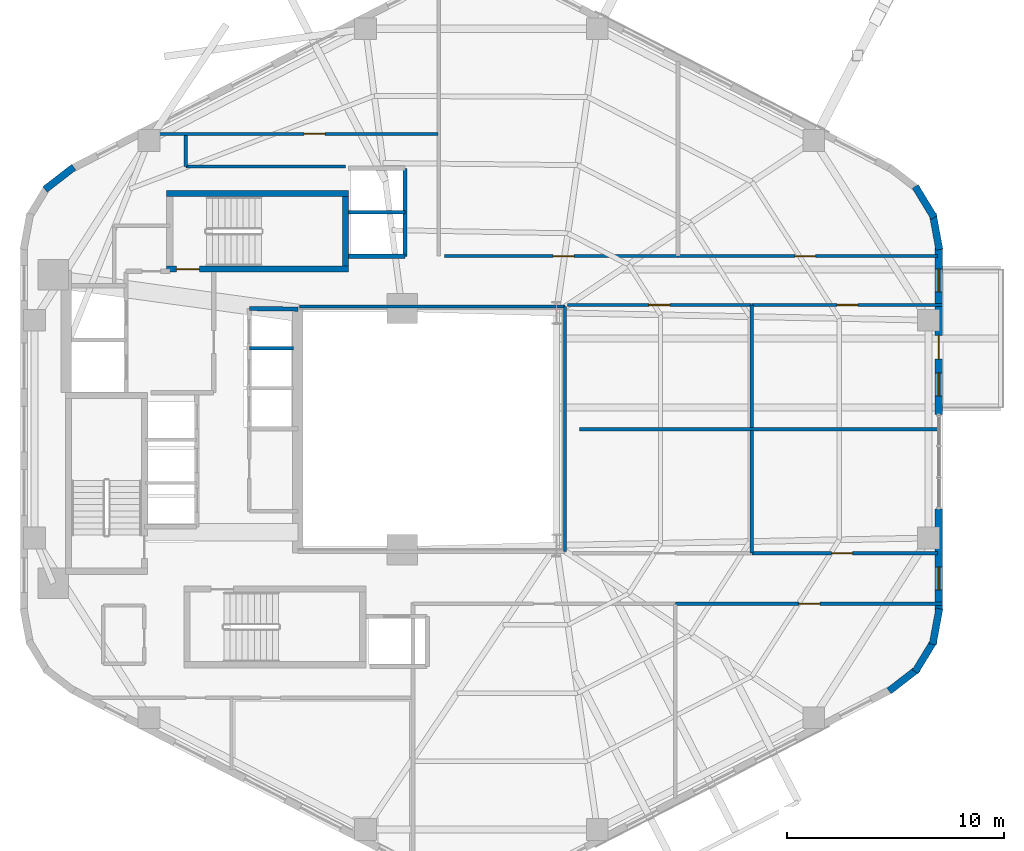
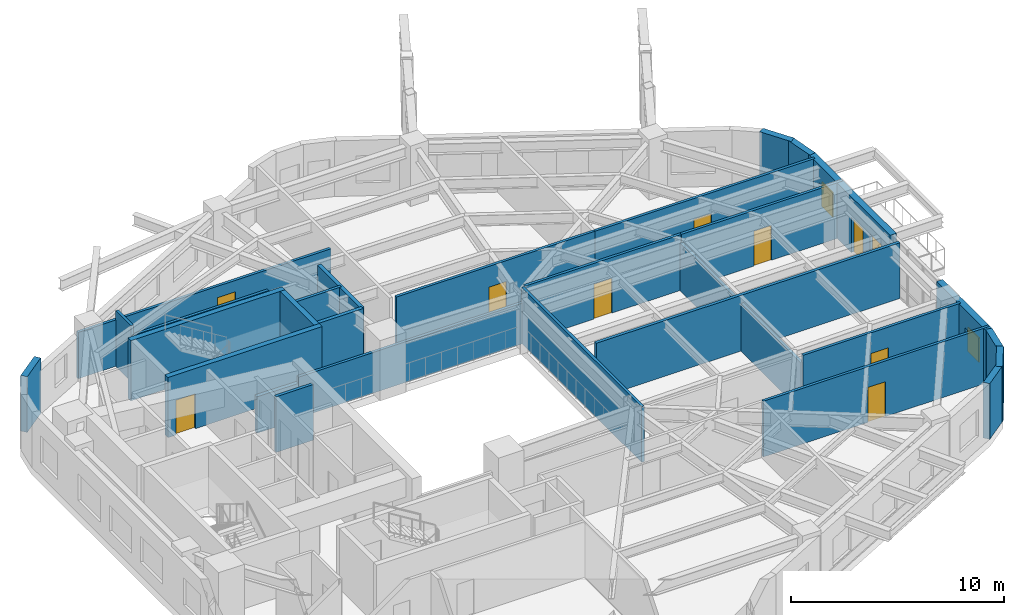
# One storey, part 6 of 9: 30 walls, 9 doors, 3 windows, 12 openings.
"""IFC4 building model written with IfcOpenShell, lengths in metres."""

from ifc_helpers import new_model, si_unit, direction, frame, frame_2d, origin, place, context, subcontext, project, spatial, rectangle, extrude, material, layer, layer_set, type_object, element, fill, save


model = new_model("IFC4")

# Units and contexts
model_context = context("Model", 3, precision=1e-05, world=origin(), true_north=direction((0.0, 1.0)))
body_context = subcontext(model_context, "Body", "Model", "MODEL_VIEW")
ifc_project = project(units=[si_unit("LENGTHUNIT", "METRE"), si_unit("AREAUNIT", "SQUARE_METRE"), si_unit("VOLUMEUNIT", "CUBIC_METRE"), si_unit("PLANEANGLEUNIT", "RADIAN"), si_unit("MASSUNIT", "GRAM", prefix="KILO"), si_unit("THERMODYNAMICTEMPERATUREUNIT", "KELVIN"), si_unit("POWERUNIT", "WATT")], contexts=[model_context])

# Site, building, storey
site_placement = place(None, origin())
site = spatial("IfcSite", under=ifc_project, at=site_placement, CompositionType="ELEMENT")
building_placement = place(site_placement, origin())
building = spatial("IfcBuilding", under=site, at=building_placement, Name="Skarre Station Tower", CompositionType="ELEMENT")
storey_placement = place(building_placement, frame((0.0, 0.0, 101.550048828125)))
storey = spatial("IfcBuildingStorey", under=building, at=storey_placement, Name="L26", CompositionType="ELEMENT", Elevation=101.550048828125)

# Walls
ifc_material_1 = material(Name="Acoustic Steel-Stud Gypsum Partition", Category="steel")
ifc_layer_1 = layer(ifc_material_1, 0.14990234375, Name="Acoustic Steel-Stud Gypsum Partition")
ifc_layer_set_1 = layer_set([ifc_layer_1], Name="Acoustic Steel-Stud Gypsum Partition")
wall_type_1 = type_object("IfcWallType", Name="Fire-Rated Corridor Acoustic Partition 150", PredefinedType="PARTITIONING", material=ifc_layer_set_1)
wall_1_placement = place(storey_placement, frame((39.840087890625, 29.639892578125, 0.0), z_axis=(0.0, 0.0, 1.0), x_axis=(-1.0, 0.0, 0.0)))
element("IfcWall", 1, at=wall_1_placement, inside=storey, type_object=wall_type_1, Name="L26 Interior Partition WL-PT-L26-ATRW-N", PredefinedType="PARTITIONING", context=body_context, shape_type="SweptSolid", body=[
    extrude(rectangle(XDim=12.2001953125, YDim=0.14990234375, at=frame_2d((6.10009765625, 0.0))), origin(), (0.0, 0.0, 1.0), 2.3310546875),
])
wall_2_placement = place(storey_placement, frame((39.840087890625, 18.360107421875, 0.0), z_axis=(0.0, 0.0, 1.0), x_axis=(0.0, 1.0, 0.0)))
element("IfcWall", 2, at=wall_2_placement, inside=storey, type_object=wall_type_1, Name="L26 Interior Partition WL-PT-L26-ATRW-E", PredefinedType="PARTITIONING", context=body_context, shape_type="SweptSolid", body=[
    extrude(rectangle(XDim=11.27978515625, YDim=0.14990234375, at=frame_2d((5.639892578125, 0.0))), origin(), (0.0, 0.0, 1.0), 3.18994140625),
])

# Wall, opening, door
wall_3_placement = place(storey_placement, frame((34.0, 37.580078125, 0.0), z_axis=(0.0, 0.0, 1.0), x_axis=(-1.0, 0.0, 0.0)))
wall_3 = element("IfcWall", 3, at=wall_3_placement, inside=storey, type_object=wall_type_1, Name="L26 Interior Partition WL-PT-L26-NWW1-CW", PredefinedType="PARTITIONING", context=body_context, shape_type="SweptSolid", body=[
    extrude(rectangle(XDim=13.70703125, YDim=0.14990234375, at=frame_2d((6.853515625, 0.0))), origin(), (0.0, 0.0, 1.0), 2.656982421875),
])
opening_1_placement = place(wall_3_placement, frame((5.195068359375, 0.0, 0.0)))
opening_1 = element("IfcOpeningElement", 4, at=opening_1_placement, cuts=wall_3, Name="Opening DR-FD60", PredefinedType="OPENING", context=body_context, shape_type="SweptSolid", body=[
    extrude(rectangle(XDim=0.9599609375, YDim=2.0, at=frame_2d((0.47998046875, 1.0))), frame((0.0, 0.0849609375, 0.0), z_axis=(0.0, -1.0, 0.0), x_axis=(1.0, 0.0, 0.0)), (0.0, 0.0, 1.0), 0.169921875),
])
ifc_material_2 = material(Name="Nordic White-Oak Veneer Solid-Core Fire Leaf", Category="wood")
door_type_1 = type_object("IfcDoorType", Name="Corridor Suite Entry Fire Door FD60 960x2150", OperationType="SINGLE_SWING_LEFT", PredefinedType="DOOR", material=ifc_material_2)
door_1_placement = place(opening_1_placement, origin())
door_1 = element("IfcDoor", 5, at=door_1_placement, inside=storey, type_object=door_type_1, Name="L26 NWW1 Entry Door", OperationType="SINGLE_SWING_LEFT", OverallHeight=2.0, OverallWidth=0.9599609375, PredefinedType="DOOR", context=body_context, shape_type="SweptSolid", body=[
    extrude(rectangle(XDim=0.9599609375, YDim=2.0, at=frame_2d((0.47998046875, 1.0))), frame((0.0, 0.02490234375, 0.0), z_axis=(0.0, -1.0, 0.0), x_axis=(1.0, 0.0, 0.0)), (0.0, 0.0, 1.0), 0.050048828125),
])
fill(opening_1, door_1)

wall_4_placement = place(storey_placement, frame((45.037109375, 31.9599609375, 0.0), z_axis=(0.0, 0.0, 1.0), x_axis=(-1.0, 0.0, 0.0)))
wall_4 = element("IfcWall", 6, at=wall_4_placement, inside=storey, type_object=wall_type_1, Name="L26 Interior Partition WL-PT-L26-NW1-CW", PredefinedType="PARTITIONING", context=body_context, shape_type="SweptSolid", body=[
    extrude(rectangle(XDim=10.7470703125, YDim=0.14990234375, at=frame_2d((5.37353515625, 0.0))), origin(), (0.0, 0.0, 1.0), 3.18994140625),
])
opening_2_placement = place(wall_4_placement, frame((4.77392578125, 0.0, 0.0)))
opening_2 = element("IfcOpeningElement", 7, at=opening_2_placement, cuts=wall_4, Name="Opening DR-FD60", PredefinedType="OPENING", context=body_context, shape_type="SweptSolid", body=[
    extrude(rectangle(XDim=0.9599609375, YDim=2.0, at=frame_2d((0.47998046875, 1.0))), frame((0.0, 0.0849609375, 0.0), z_axis=(0.0, -1.0, 0.0), x_axis=(1.0, 0.0, 0.0)), (0.0, 0.0, 1.0), 0.169921875),
])
door_2_placement = place(opening_2_placement, origin())
door_2 = element("IfcDoor", 8, at=door_2_placement, inside=storey, type_object=door_type_1, Name="L26 NW1 Entry Door", OperationType="SINGLE_SWING_LEFT", OverallHeight=2.0, OverallWidth=0.9599609375, PredefinedType="DOOR", context=body_context, shape_type="SweptSolid", body=[
    extrude(rectangle(XDim=0.9599609375, YDim=2.0, at=frame_2d((0.47998046875, 1.0))), frame((0.0, 0.02490234375, 0.0), z_axis=(0.0, -1.0, 0.0), x_axis=(1.0, 0.0, 0.0)), (0.0, 0.0, 1.0), 0.050048828125),
])
fill(opening_2, door_2)

wall_5_placement = place(storey_placement, frame((56.987060546875, 31.9599609375, 0.0), z_axis=(0.0, 0.0, 1.0), x_axis=(-1.0, 0.0, 0.0)))
wall_5 = element("IfcWall", 9, at=wall_5_placement, inside=storey, type_object=wall_type_1, Name="L26 Interior Partition WL-PT-L26-NW2-CW", PredefinedType="PARTITIONING", context=body_context, shape_type="SweptSolid", body=[
    extrude(rectangle(XDim=11.93994140625, YDim=0.14990234375, at=frame_2d((5.969970703125, 0.0))), origin(), (0.0, 0.0, 1.0), 3.18994140625),
])
opening_3_placement = place(wall_5_placement, frame((5.610107421875, 0.0, 0.0)))
opening_3 = element("IfcOpeningElement", 10, at=opening_3_placement, cuts=wall_5, Name="Opening DR-FD60", PredefinedType="OPENING", context=body_context, shape_type="SweptSolid", body=[
    extrude(rectangle(XDim=0.9599609375, YDim=2.0, at=frame_2d((0.47998046875, 1.0))), frame((0.0, 0.0849609375, 0.0), z_axis=(0.0, -1.0, 0.0), x_axis=(1.0, 0.0, 0.0)), (0.0, 0.0, 1.0), 0.169921875),
])
door_3_placement = place(opening_3_placement, origin())
door_3 = element("IfcDoor", 11, at=door_3_placement, inside=storey, type_object=door_type_1, Name="L26 NW2 Entry Door", OperationType="SINGLE_SWING_LEFT", OverallHeight=2.0, OverallWidth=0.9599609375, PredefinedType="DOOR", context=body_context, shape_type="SweptSolid", body=[
    extrude(rectangle(XDim=0.9599609375, YDim=2.0, at=frame_2d((0.47998046875, 1.0))), frame((0.0, 0.02490234375, 0.0), z_axis=(0.0, -1.0, 0.0), x_axis=(1.0, 0.0, 0.0)), (0.0, 0.0, 1.0), 0.050048828125),
])
fill(opening_3, door_3)

wall_6_placement = place(storey_placement, frame((39.949951171875, 29.7099609375, 0.0), z_axis=(0.0, 0.0, 1.0), x_axis=(1.0, 0.0, 0.0)))
wall_6 = element("IfcWall", 12, at=wall_6_placement, inside=storey, type_object=wall_type_1, Name="L26 Interior Partition WL-PT-L26-EWN1-CW", PredefinedType="PARTITIONING", context=body_context, shape_type="SweptSolid", body=[
    extrude(rectangle(XDim=8.468994140625, YDim=0.14990234375, at=frame_2d((4.234375, 0.0))), origin(), (0.0, 0.0, 1.0), 3.18994140625),
])
opening_4_placement = place(wall_6_placement, frame((3.75390625, 0.0, 0.0)))
opening_4 = element("IfcOpeningElement", 13, at=opening_4_placement, cuts=wall_6, Name="Opening DR-FD60", PredefinedType="OPENING", context=body_context, shape_type="SweptSolid", body=[
    extrude(rectangle(XDim=0.9599609375, YDim=2.0, at=frame_2d((0.47998046875, 1.0))), frame((0.0, 0.0849609375, 0.0), z_axis=(0.0, -1.0, 0.0), x_axis=(1.0, 0.0, 0.0)), (0.0, 0.0, 1.0), 0.169921875),
])
door_4_placement = place(opening_4_placement, origin())
door_4 = element("IfcDoor", 14, at=door_4_placement, inside=storey, type_object=door_type_1, Name="L26 EWN1 Entry Door", OperationType="SINGLE_SWING_LEFT", OverallHeight=2.0, OverallWidth=0.9599609375, PredefinedType="DOOR", context=body_context, shape_type="SweptSolid", body=[
    extrude(rectangle(XDim=0.9599609375, YDim=2.0, at=frame_2d((0.47998046875, 1.0))), frame((0.0, 0.02490234375, 0.0), z_axis=(0.0, -1.0, 0.0), x_axis=(1.0, 0.0, 0.0)), (0.0, 0.0, 1.0), 0.050048828125),
])
fill(opening_4, door_4)

wall_7_placement = place(storey_placement, frame((48.448974609375, 29.7099609375, 0.0), z_axis=(0.0, 0.0, 1.0), x_axis=(1.0, 0.0, 0.0)))
wall_7 = element("IfcWall", 15, at=wall_7_placement, inside=storey, type_object=wall_type_1, Name="L26 Interior Partition WL-PT-L26-EWN2-CW", PredefinedType="PARTITIONING", context=body_context, shape_type="SweptSolid", body=[
    extrude(rectangle(XDim=8.759033203125, YDim=0.14990234375, at=frame_2d((4.37939453125, 0.0))), origin(), (0.0, 0.0, 1.0), 3.18994140625),
])
opening_5_placement = place(wall_7_placement, frame((3.9140625, 0.0, 0.0)))
opening_5 = element("IfcOpeningElement", 16, at=opening_5_placement, cuts=wall_7, Name="Opening DR-FD60", PredefinedType="OPENING", context=body_context, shape_type="SweptSolid", body=[
    extrude(rectangle(XDim=0.9599609375, YDim=2.0, at=frame_2d((0.47998046875, 1.0))), frame((0.0, 0.0849609375, 0.0), z_axis=(0.0, -1.0, 0.0), x_axis=(1.0, 0.0, 0.0)), (0.0, 0.0, 1.0), 0.169921875),
])
door_5_placement = place(opening_5_placement, origin())
door_5 = element("IfcDoor", 17, at=door_5_placement, inside=storey, type_object=door_type_1, Name="L26 EWN2 Entry Door", OperationType="SINGLE_SWING_LEFT", OverallHeight=2.0, OverallWidth=0.9599609375, PredefinedType="DOOR", context=body_context, shape_type="SweptSolid", body=[
    extrude(rectangle(XDim=0.9599609375, YDim=2.0, at=frame_2d((0.47998046875, 1.0))), frame((0.0, 0.02490234375, 0.0), z_axis=(0.0, -1.0, 0.0), x_axis=(1.0, 0.0, 0.0)), (0.0, 0.0, 1.0), 0.050048828125),
])
fill(opening_5, door_5)

wall_8_placement = place(storey_placement, frame((56.988037109375, 18.2900390625, 0.0), z_axis=(0.0, 0.0, 1.0), x_axis=(-1.0, 0.0, 0.0)))
wall_8 = element("IfcWall", 18, at=wall_8_placement, inside=storey, type_object=wall_type_1, Name="L26 Interior Partition WL-PT-L26-EWS2-CW", PredefinedType="PARTITIONING", context=body_context, shape_type="SweptSolid", body=[
    extrude(rectangle(XDim=8.549072265625, YDim=0.14990234375, at=frame_2d((4.2744140625, 0.0))), origin(), (0.0, 0.0, 1.0), 3.18994140625),
])
opening_6_placement = place(wall_8_placement, frame((3.9140625, 0.0, 0.0)))
opening_6 = element("IfcOpeningElement", 19, at=opening_6_placement, cuts=wall_8, Name="Opening DR-FD60", PredefinedType="OPENING", context=body_context, shape_type="SweptSolid", body=[
    extrude(rectangle(XDim=0.9599609375, YDim=2.0, at=frame_2d((0.47998046875, 1.0))), frame((0.0, 0.0849609375, 0.0), z_axis=(0.0, -1.0, 0.0), x_axis=(1.0, 0.0, 0.0)), (0.0, 0.0, 1.0), 0.169921875),
])
door_6_placement = place(opening_6_placement, origin())
door_6 = element("IfcDoor", 20, at=door_6_placement, inside=storey, type_object=door_type_1, Name="L26 EWS2 Entry Door", OperationType="SINGLE_SWING_LEFT", OverallHeight=2.0, OverallWidth=0.9599609375, PredefinedType="DOOR", context=body_context, shape_type="SweptSolid", body=[
    extrude(rectangle(XDim=0.9599609375, YDim=2.0, at=frame_2d((0.47998046875, 1.0))), frame((0.0, 0.02490234375, 0.0), z_axis=(0.0, -1.0, 0.0), x_axis=(1.0, 0.0, 0.0)), (0.0, 0.0, 1.0), 0.050048828125),
])
fill(opening_6, door_6)

wall_9_placement = place(storey_placement, frame((44.93701171875, 15.9599609375, 0.0), z_axis=(0.0, 0.0, 1.0), x_axis=(1.0, 0.0, 0.0)))
wall_9 = element("IfcWall", 21, at=wall_9_placement, inside=storey, type_object=wall_type_1, Name="L26 Interior Partition WL-PT-L26-SW2-CW", PredefinedType="PARTITIONING", context=body_context, shape_type="SweptSolid", body=[
    extrude(rectangle(XDim=12.27099609375, YDim=0.14990234375, at=frame_2d((6.135498046875, 0.0))), origin(), (0.0, 0.0, 1.0), 3.18994140625),
])
opening_7_placement = place(wall_9_placement, frame((5.6689453125, 0.0, 0.0)))
opening_7 = element("IfcOpeningElement", 22, at=opening_7_placement, cuts=wall_9, Name="Opening DR-FD60", PredefinedType="OPENING", context=body_context, shape_type="SweptSolid", body=[
    extrude(rectangle(XDim=0.9599609375, YDim=2.0, at=frame_2d((0.47998046875, 1.0))), frame((0.0, 0.0849609375, 0.0), z_axis=(0.0, -1.0, 0.0), x_axis=(1.0, 0.0, 0.0)), (0.0, 0.0, 1.0), 0.169921875),
])
door_7_placement = place(opening_7_placement, origin())
door_7 = element("IfcDoor", 23, at=door_7_placement, inside=storey, type_object=door_type_1, Name="L26 SW2 Entry Door", OperationType="SINGLE_SWING_LEFT", OverallHeight=2.0, OverallWidth=0.9599609375, PredefinedType="DOOR", context=body_context, shape_type="SweptSolid", body=[
    extrude(rectangle(XDim=0.9599609375, YDim=2.0, at=frame_2d((0.47998046875, 1.0))), frame((0.0, 0.02490234375, 0.0), z_axis=(0.0, -1.0, 0.0), x_axis=(1.0, 0.0, 0.0)), (0.0, 0.0, 1.0), 0.050048828125),
])
fill(opening_7, door_7)

# Walls
wall_10_placement = place(storey_placement, frame((29.7529296875, 36.080078125, 0.0), z_axis=(0.0, 0.0, 1.0), x_axis=(-1.0, 0.0, 0.0)))
element("IfcWall", 24, at=wall_10_placement, inside=storey, type_object=wall_type_1, Name="L26 Interior Partition WL-PT-L26-CSEAL-1", PredefinedType="PARTITIONING", context=body_context, shape_type="SweptSolid", body=[
    extrude(rectangle(XDim=7.35302734375, YDim=0.14990234375, at=frame_2d((3.676513671875, 0.0))), origin(), (0.0, 0.0, 1.0), 2.656982421875),
])
wall_11_placement = place(storey_placement, frame((22.39990234375, 36.080078125, 0.0), z_axis=(0.0, 0.0, 1.0), x_axis=(0.0, 1.0, 0.0)))
element("IfcWall", 25, at=wall_11_placement, inside=storey, type_object=wall_type_1, Name="L26 Interior Partition WL-PT-L26-CSEAL-2", PredefinedType="PARTITIONING", context=body_context, shape_type="SweptSolid", body=[
    extrude(rectangle(XDim=1.429931640625, YDim=0.14990234375, at=frame_2d((0.71484375, 0.0))), origin(), (0.0, 0.0, 1.0), 3.18994140625),
])

# Wall, openings, windows, door
ifc_material_3 = material(Name="Precast concrete C45/55", Category="concrete")
ifc_layer_2 = layer(ifc_material_3, 0.340087890625, Name="Precast concrete C45/55")
ifc_layer_set_2 = layer_set([ifc_layer_2], Name="Precast concrete C45/55")
wall_type_2 = type_object("IfcWallType", Name="Nordic Honed Precast Facet Wall 340", PredefinedType="STANDARD", material=ifc_layer_set_2)
wall_12_placement = place(storey_placement, frame((57.048095703125, 32.35205078125, 0.0), z_axis=(0.0, 0.0, 1.0), x_axis=(0.0, -1.0, 0.0)))
wall_12 = element("IfcWall", 26, at=wall_12_placement, inside=storey, type_object=wall_type_2, Name="L26 Facet 5 Pier A", PredefinedType="STANDARD", context=body_context, shape_type="SweptSolid", body=[
    extrude(rectangle(XDim=7.68408203125, YDim=0.340087890625, at=frame_2d((3.842041015625, 0.0))), origin(), (0.0, 0.0, 1.0), 3.18994140625),
])
opening_8_placement = place(wall_12_placement, frame((4.035888671875, 0.0, 0.0)))
opening_8 = element("IfcOpeningElement", 27, at=opening_8_placement, cuts=wall_12, Name="Opening DR-BAL110", PredefinedType="OPENING", context=body_context, shape_type="SweptSolid", body=[
    extrude(rectangle(XDim=1.10009765625, YDim=2.0400390625, at=frame_2d((0.550048828125, 1.02001953125))), frame((0.0, 0.179931640625, 0.0), z_axis=(0.0, -1.0, 0.0), x_axis=(1.0, 0.0, 0.0)), (0.0, 0.0, 1.0), 0.360107421875),
])
opening_9_placement = place(wall_12_placement, frame((0.991943359375, 0.0, 0.75)))
opening_9 = element("IfcOpeningElement", 28, at=opening_9_placement, cuts=wall_12, Name="Opening WN-SLT", PredefinedType="OPENING", context=body_context, shape_type="SweptSolid", body=[
    extrude(rectangle(XDim=1.050048828125, YDim=1.39990234375, at=frame_2d((0.52490234375, 0.699951171875))), frame((0.0, 0.179931640625, 0.0), z_axis=(0.0, -1.0, 0.0), x_axis=(1.0, 0.0, 0.0)), (0.0, 0.0, 1.0), 0.360107421875),
])
opening_10_placement = place(wall_12_placement, frame((5.77001953125, 0.0, 0.75)))
opening_10 = element("IfcOpeningElement", 29, at=opening_10_placement, cuts=wall_12, Name="Opening WN-SLT", PredefinedType="OPENING", context=body_context, shape_type="SweptSolid", body=[
    extrude(rectangle(XDim=1.050048828125, YDim=1.39990234375, at=frame_2d((0.52490234375, 0.699951171875))), frame((0.0, 0.179931640625, 0.0), z_axis=(0.0, -1.0, 0.0), x_axis=(1.0, 0.0, 0.0)), (0.0, 0.0, 1.0), 0.360107421875),
])
ifc_material_4 = material(Name="Low-Iron Triple Glazing with Bronze Anodized Frame", Category="glass")
window_type = type_object("IfcWindowType", Name="Nordic Corner Slot Window 1050x1400", PartitioningType="SINGLE_PANEL", PredefinedType="WINDOW", material=ifc_material_4)
window_1_placement = place(opening_9_placement, origin())
window_1 = element("IfcWindow", 30, at=window_1_placement, inside=storey, type_object=window_type, Name="L26 Facade Window WL-FAC-L26-F5A-1", OverallHeight=1.39990234375, OverallWidth=1.050048828125, PartitioningType="SINGLE_PANEL", PredefinedType="WINDOW", context=body_context, shape_type="SweptSolid", body=[
    extrude(rectangle(XDim=1.050048828125, YDim=1.39990234375, at=frame_2d((0.52490234375, 0.699951171875))), frame((0.0, 0.030029296875, 0.0), z_axis=(0.0, -1.0, 0.0), x_axis=(1.0, 0.0, 0.0)), (0.0, 0.0, 1.0), 0.06005859375),
])
fill(opening_9, window_1)
window_2_placement = place(opening_10_placement, origin())
window_2 = element("IfcWindow", 31, at=window_2_placement, inside=storey, type_object=window_type, Name="L26 Facade Window WL-FAC-L26-F5A-2", OverallHeight=1.39990234375, OverallWidth=1.050048828125, PartitioningType="SINGLE_PANEL", PredefinedType="WINDOW", context=body_context, shape_type="SweptSolid", body=[
    extrude(rectangle(XDim=1.050048828125, YDim=1.39990234375, at=frame_2d((0.52490234375, 0.699951171875))), frame((0.0, 0.030029296875, 0.0), z_axis=(0.0, -1.0, 0.0), x_axis=(1.0, 0.0, 0.0)), (0.0, 0.0, 1.0), 0.06005859375),
])
fill(opening_10, window_2)
ifc_material_5 = material(Name="Thermally Broken Aluminium & Triple Glazing", Category="aluminium")
door_type_2 = type_object("IfcDoorType", Name="Terrace & Tree-Balcony Glazed Door 1100x2200", OperationType="SINGLE_SWING_LEFT", PredefinedType="DOOR", material=ifc_material_5)
door_8_placement = place(opening_8_placement, origin())
door_8 = element("IfcDoor", 32, at=door_8_placement, inside=storey, type_object=door_type_2, Name="L26 SG-1 Conservatory Terrace Door", OperationType="SINGLE_SWING_LEFT", OverallHeight=2.0400390625, OverallWidth=1.10009765625, PredefinedType="DOOR", context=body_context, shape_type="SweptSolid", body=[
    extrude(rectangle(XDim=1.10009765625, YDim=2.0400390625, at=frame_2d((0.550048828125, 1.02001953125))), frame((0.0, 0.02490234375, 0.0), z_axis=(0.0, -1.0, 0.0), x_axis=(1.0, 0.0, 0.0)), (0.0, 0.0, 1.0), 0.050048828125),
])
fill(opening_8, door_8)

# Wall, opening, window
wall_13_placement = place(storey_placement, frame((57.048095703125, 20.324951171875, 0.0), z_axis=(0.0, 0.0, 1.0), x_axis=(0.0, -1.0, 0.0)))
wall_13 = element("IfcWall", 33, at=wall_13_placement, inside=storey, type_object=wall_type_2, Name="L26 Facet 5 Pier B", PredefinedType="STANDARD", context=body_context, shape_type="SweptSolid", body=[
    extrude(rectangle(XDim=4.677001953125, YDim=0.340087890625, at=frame_2d((2.33837890625, 0.0))), origin(), (0.0, 0.0, 1.0), 3.18994140625),
])
opening_11_placement = place(wall_13_placement, frame((2.675048828125, 0.0, 0.75)))
opening_11 = element("IfcOpeningElement", 34, at=opening_11_placement, cuts=wall_13, Name="Opening WN-SLT", PredefinedType="OPENING", context=body_context, shape_type="SweptSolid", body=[
    extrude(rectangle(XDim=1.050048828125, YDim=1.39990234375, at=frame_2d((0.52490234375, 0.699951171875))), frame((0.0, 0.179931640625, 0.0), z_axis=(0.0, -1.0, 0.0), x_axis=(1.0, 0.0, 0.0)), (0.0, 0.0, 1.0), 0.360107421875),
])
window_3_placement = place(opening_11_placement, origin())
window_3 = element("IfcWindow", 35, at=window_3_placement, inside=storey, type_object=window_type, Name="L26 Facade Window WL-FAC-L26-F5B-1", OverallHeight=1.39990234375, OverallWidth=1.050048828125, PartitioningType="SINGLE_PANEL", PredefinedType="WINDOW", context=body_context, shape_type="SweptSolid", body=[
    extrude(rectangle(XDim=1.050048828125, YDim=1.39990234375, at=frame_2d((0.52490234375, 0.699951171875))), frame((0.0, 0.030029296875, 0.0), z_axis=(0.0, -1.0, 0.0), x_axis=(1.0, 0.0, 0.0)), (0.0, 0.0, 1.0), 0.06005859375),
])
fill(opening_11, window_3)

# Walls
ifc_layer_3 = layer(ifc_material_3, 0.330078125, Name="Precast concrete C45/55")
ifc_layer_set_3 = layer_set([ifc_layer_3], Name="Precast concrete C45/55")
wall_type_3 = type_object("IfcWallType", Name="Nordic Rounded Corner Precast Wall 330", PredefinedType="STANDARD", material=ifc_layer_set_3)
wall_14_placement = place(storey_placement, frame((55.95703125, 35.1640625, 0.0), z_axis=(0.0, 0.0, 1.0), x_axis=(0.520519429557, -0.853849824883, 0.0)))
element("IfcWall", 36, at=wall_14_placement, inside=storey, type_object=wall_type_3, Name="L26 Rounded Corner Precast Wall F0-2", PredefinedType="STANDARD", context=body_context, shape_type="SweptSolid", body=[
    extrude(rectangle(XDim=1.67724609375, YDim=0.330078125, at=frame_2d((0.838623046875, 0.0))), origin(), (0.0, 0.0, 1.0), 3.18994140625),
])
wall_15_placement = place(storey_placement, frame((56.762939453125, 33.906982421875, 0.0), z_axis=(0.0, 0.0, 1.0), x_axis=(0.181984991895, -0.983301308209, 0.0)))
element("IfcWall", 37, at=wall_15_placement, inside=storey, type_object=wall_type_3, Name="L26 Rounded Corner Precast Wall F0-3", PredefinedType="STANDARD", context=body_context, shape_type="SweptSolid", body=[
    extrude(rectangle(XDim=1.677001953125, YDim=0.330078125, at=frame_2d((0.83837890625, 0.0))), origin(), (0.0, 0.0, 1.0), 3.18994140625),
])
wall_16_placement = place(storey_placement, frame((15.91796875, 35.02392578125, 0.0), z_axis=(0.0, 0.0, 1.0), x_axis=(0.790621329885, 0.612305408053, 0.0)))
element("IfcWall", 38, at=wall_16_placement, inside=storey, type_object=wall_type_3, Name="L26 Rounded Corner Precast Wall F2-3", PredefinedType="STANDARD", context=body_context, shape_type="SweptSolid", body=[
    extrude(rectangle(XDim=1.67578125, YDim=0.330078125, at=frame_2d((0.837890625, 0.0))), origin(), (0.0, 0.0, 1.0), 3.18994140625),
])
wall_17_placement = place(storey_placement, frame((57.068115234375, 15.741943359375, 0.0), z_axis=(0.0, 0.0, 1.0), x_axis=(-0.181984991895, -0.983301308209, 0.0)))
element("IfcWall", 39, at=wall_17_placement, inside=storey, type_object=wall_type_3, Name="L26 Rounded Corner Precast Wall F5-1", PredefinedType="STANDARD", context=body_context, shape_type="SweptSolid", body=[
    extrude(rectangle(XDim=1.677001953125, YDim=0.330078125, at=frame_2d((0.83837890625, 0.0))), origin(), (0.0, 0.0, 1.0), 3.18994140625),
])
wall_18_placement = place(storey_placement, frame((56.830078125, 14.26806640625, 0.0), z_axis=(0.0, 0.0, 1.0), x_axis=(-0.520519429557, -0.853849824883, 0.0)))
element("IfcWall", 40, at=wall_18_placement, inside=storey, type_object=wall_type_3, Name="L26 Rounded Corner Precast Wall F5-2", PredefinedType="STANDARD", context=body_context, shape_type="SweptSolid", body=[
    extrude(rectangle(XDim=1.67724609375, YDim=0.330078125, at=frame_2d((0.838623046875, 0.0))), origin(), (0.0, 0.0, 1.0), 3.18994140625),
])
wall_19_placement = place(storey_placement, frame((56.08203125, 12.97607421875, 0.0), z_axis=(0.0, 0.0, 1.0), x_axis=(-0.790621329885, -0.612305408053, 0.0)))
element("IfcWall", 41, at=wall_19_placement, inside=storey, type_object=wall_type_3, Name="L26 Rounded Corner Precast Wall F5-3", PredefinedType="STANDARD", context=body_context, shape_type="SweptSolid", body=[
    extrude(rectangle(XDim=1.67578125, YDim=0.330078125, at=frame_2d((0.837890625, 0.0))), origin(), (0.0, 0.0, 1.0), 3.18994140625),
])

# Wall, opening, door
ifc_material_6 = material(Name="Concrete C50/60", Category="concrete")
ifc_layer_4 = layer(ifc_material_6, 0.280029296875, Name="Concrete C50/60")
ifc_layer_set_4 = layer_set([ifc_layer_4], Name="Concrete C50/60")
wall_type_4 = type_object("IfcWallType", Name="RC Core Shear Wall 280", PredefinedType="SHEAR", material=ifc_layer_set_4)
wall_20_placement = place(storey_placement, frame((21.52001953125, 31.360107421875, 0.0), z_axis=(0.0, 0.0, 1.0), x_axis=(1.0, 0.0, 0.0)))
wall_20 = element("IfcWall", 42, at=wall_20_placement, inside=storey, type_object=wall_type_4, Name="L26 Stair ST-3 South Shear Wall", PredefinedType="SHEAR", context=body_context, shape_type="SweptSolid", body=[
    extrude(rectangle(XDim=8.35986328125, YDim=0.280029296875, at=frame_2d((4.179931640625, 0.0))), origin(), (0.0, 0.0, 1.0), 3.449951171875),
])
opening_12_placement = place(wall_20_placement, frame((0.449951171875, 0.0, 0.0)))
opening_12 = element("IfcOpeningElement", 43, at=opening_12_placement, cuts=wall_20, Name="Opening DR-FD90", PredefinedType="OPENING", context=body_context, shape_type="SweptSolid", body=[
    extrude(rectangle(XDim=1.050048828125, YDim=2.0, at=frame_2d((0.52490234375, 1.0))), frame((0.0, 0.14990234375, 0.0), z_axis=(0.0, -1.0, 0.0), x_axis=(1.0, 0.0, 0.0)), (0.0, 0.0, 1.0), 0.300048828125),
])
ifc_material_7 = material(Name="Fire-Rated Insulated Steel Frame & Timber Core Leaf", Category="steel")
door_type_3 = type_object("IfcDoorType", Name="Stair & FSAE Lobby Fire Door FD90 1050x2150", OperationType="SINGLE_SWING_RIGHT", PredefinedType="DOOR", material=ifc_material_7)
door_9_placement = place(opening_12_placement, origin())
door_9 = element("IfcDoor", 44, at=door_9_placement, inside=storey, type_object=door_type_3, Name="L26 Stair ST-3 & FSAE Lobby Direct Exit Door", OperationType="SINGLE_SWING_LEFT", OverallHeight=2.0, OverallWidth=1.050048828125, PredefinedType="DOOR", context=body_context, shape_type="SweptSolid", body=[
    extrude(rectangle(XDim=1.050048828125, YDim=2.0, at=frame_2d((0.52490234375, 1.0))), frame((0.0, 0.02490234375, 0.0), z_axis=(0.0, -1.0, 0.0), x_axis=(1.0, 0.0, 0.0)), (0.0, 0.0, 1.0), 0.050048828125),
])
fill(opening_12, door_9)

# Walls
wall_21_placement = place(storey_placement, frame((29.8798828125, 34.840087890625, 0.0), z_axis=(0.0, 0.0, 1.0), x_axis=(-1.0, 0.0, 0.0)))
element("IfcWall", 45, at=wall_21_placement, inside=storey, type_object=wall_type_4, Name="L26 Stair ST-3 North Shear Wall", PredefinedType="SHEAR", context=body_context, shape_type="SweptSolid", body=[
    extrude(rectangle(XDim=8.35986328125, YDim=0.280029296875, at=frame_2d((4.179931640625, 0.0))), origin(), (0.0, 0.0, 1.0), 3.449951171875),
])
wall_22_placement = place(storey_placement, frame((29.739990234375, 31.5, 0.0), z_axis=(0.0, 0.0, 1.0), x_axis=(0.0, 1.0, 0.0)))
element("IfcWall", 46, at=wall_22_placement, inside=storey, type_object=wall_type_4, Name="L26 Stair ST-3 East Shear Wall", PredefinedType="SHEAR", context=body_context, shape_type="SweptSolid", body=[
    extrude(rectangle(XDim=3.199951171875, YDim=0.280029296875, at=frame_2d((1.60009765625, 0.0))), origin(), (0.0, 0.0, 1.0), 3.449951171875),
])
ifc_material_8 = material(Name="Gypsum Concrete Shaft Assembly C30/37", Category="concrete")
ifc_layer_5 = layer(ifc_material_8, 0.199951171875, Name="Gypsum Concrete Shaft Assembly C30/37")
ifc_layer_set_5 = layer_set([ifc_layer_5], Name="Gypsum Concrete Shaft Assembly C30/37")
wall_type_5 = type_object("IfcWallType", Name="Shaft & Core Fire Partition 200", PredefinedType="PARTITIONING", material=ifc_layer_set_5)
wall_23_placement = place(storey_placement, frame((32.47998046875, 31.949951171875, 0.0), z_axis=(0.0, 0.0, 1.0), x_axis=(0.0, 1.0, 0.0)))
element("IfcWall", 47, at=wall_23_placement, inside=storey, type_object=wall_type_5, Name="L26 Interior Partition WL-PT-L26-EX-E", PredefinedType="PARTITIONING", context=body_context, shape_type="SweptSolid", body=[
    extrude(rectangle(XDim=4.050048828125, YDim=0.199951171875, at=frame_2d((2.02490234375, 0.0))), origin(), (0.0, 0.0, 1.0), 3.18994140625),
])
wall_24_placement = place(storey_placement, frame((32.47998046875, 31.949951171875, 0.0), z_axis=(0.0, 0.0, 1.0), x_axis=(-1.0, 0.0, 0.0)))
element("IfcWall", 48, at=wall_24_placement, inside=storey, type_object=wall_type_5, Name="L26 Interior Partition WL-PT-L26-EX-S", PredefinedType="PARTITIONING", context=body_context, shape_type="SweptSolid", body=[
    extrude(rectangle(XDim=2.60009765625, YDim=0.199951171875, at=frame_2d((1.300048828125, 0.0))), origin(), (0.0, 0.0, 1.0), 3.18994140625),
])
wall_25_placement = place(storey_placement, frame((29.875, 33.97998046875, 0.0), z_axis=(0.0, 0.0, 1.0), x_axis=(1.0, 0.0, 0.0)))
element("IfcWall", 49, at=wall_25_placement, inside=storey, type_object=wall_type_5, Name="L26 Interior Partition WL-PT-L26-EX-DIV", PredefinedType="PARTITIONING", context=body_context, shape_type="SweptSolid", body=[
    extrude(rectangle(XDim=2.60498046875, YDim=0.159912109375, at=frame_2d((1.302490234375, 0.0))), origin(), (0.0, 0.0, 1.0), 3.18994140625),
])
wall_26_placement = place(storey_placement, frame((27.550048828125, 29.52001953125, 0.0), z_axis=(0.0, 0.0, 1.0), x_axis=(-0.999909343457, 0.013464949556, 0.0)))
element("IfcWall", 50, at=wall_26_placement, inside=storey, type_object=wall_type_5, Name="L26 Interior Partition WL-PT-L26-B2-N", PredefinedType="PARTITIONING", context=body_context, shape_type="SweptSolid", body=[
    extrude(rectangle(XDim=2.230224609375, YDim=0.199951171875, at=frame_2d((1.115234375, 0.0))), origin(), (0.0, 0.0, 1.0), 2.08984375),
])
wall_27_placement = place(storey_placement, frame((25.320068359375, 27.719970703125, 0.0), z_axis=(0.0, 0.0, 1.0), x_axis=(1.0, 0.0, 0.0)))
element("IfcWall", 51, at=wall_27_placement, inside=storey, type_object=wall_type_5, Name="L26 Interior Partition WL-PT-L26-B2-D277", PredefinedType="PARTITIONING", context=body_context, shape_type="SweptSolid", body=[
    extrude(rectangle(XDim=2.030029296875, YDim=0.159912109375, at=frame_2d((1.01513671875, 0.0))), origin(), (0.0, 0.0, 1.0), 3.18994140625),
])
ifc_layer_6 = layer(ifc_material_1, 0.1650390625, Name="Acoustic Steel-Stud Gypsum Partition")
ifc_layer_set_6 = layer_set([ifc_layer_6], Name="Acoustic Steel-Stud Gypsum Partition")
wall_type_6 = type_object("IfcWallType", Name="Suite Demising Acoustic Partition 165", PredefinedType="PARTITIONING", material=ifc_layer_set_6)
wall_28_placement = place(storey_placement, frame((40.52001953125, 24.0, 0.0), z_axis=(0.0, 0.0, 1.0), x_axis=(1.0, 0.0, 0.0)))
element("IfcWall", 52, at=wall_28_placement, inside=storey, type_object=wall_type_6, Name="L26 Interior Partition WL-PT-L26-EW-Z2MID", PredefinedType="PARTITIONING", context=body_context, shape_type="SweptSolid", body=[
    extrude(rectangle(XDim=16.4580078125, YDim=0.1650390625, at=frame_2d((8.22900390625, 0.0))), origin(), (0.0, 0.0, 1.0), 3.18994140625),
])
for number, where, z_axis, x_axis, name in (
    (53, (48.43408203125, 24.070068359375, 0.0), (0.0, 0.0, 1.0), (0.0, 1.0, 0.0), "L26 Interior Partition WL-PT-L26-EWN-P1"),
    (54, (48.43408203125, 18.2900390625, 0.0), (0.0, 0.0, 1.0), (0.0, 1.0, 0.0), "L26 Interior Partition WL-PT-L26-EWS-P1"),
):
    element("IfcWall", number, at=place(storey_placement, frame(where, z_axis=z_axis, x_axis=x_axis)), inside=storey, type_object=wall_type_6, Name=name, PredefinedType="PARTITIONING", context=body_context, shape_type="SweptSolid", body=[
        extrude(rectangle(XDim=5.639892578125, YDim=0.1650390625, at=frame_2d((2.81982421875, 0.0))), origin(), (0.0, 0.0, 1.0), 2.73291015625),
    ])

save(model, "model.ifc")
